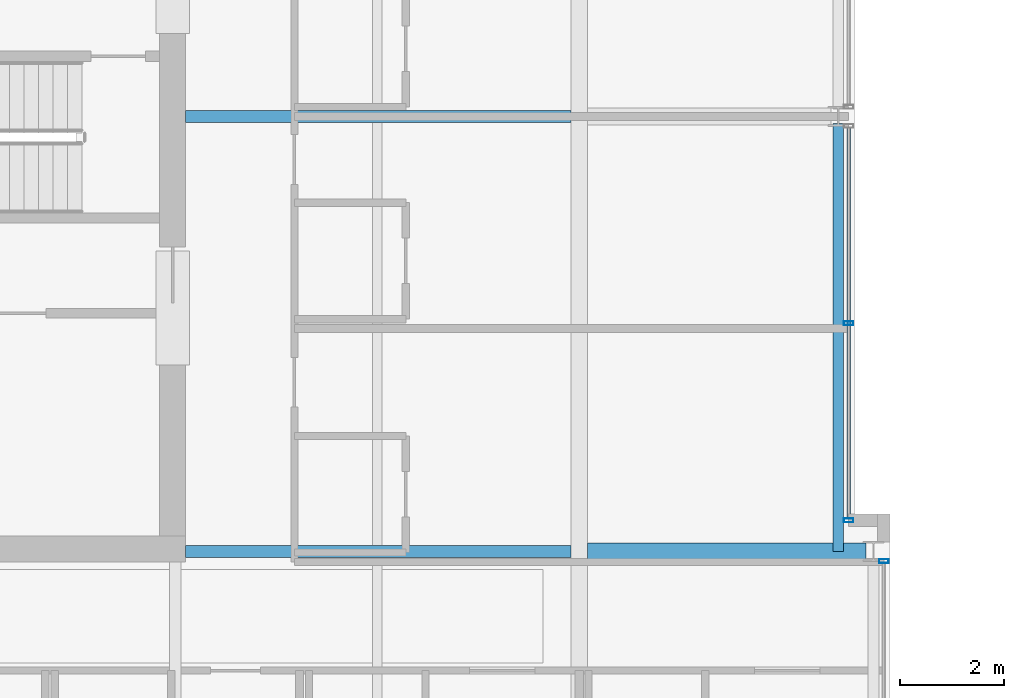
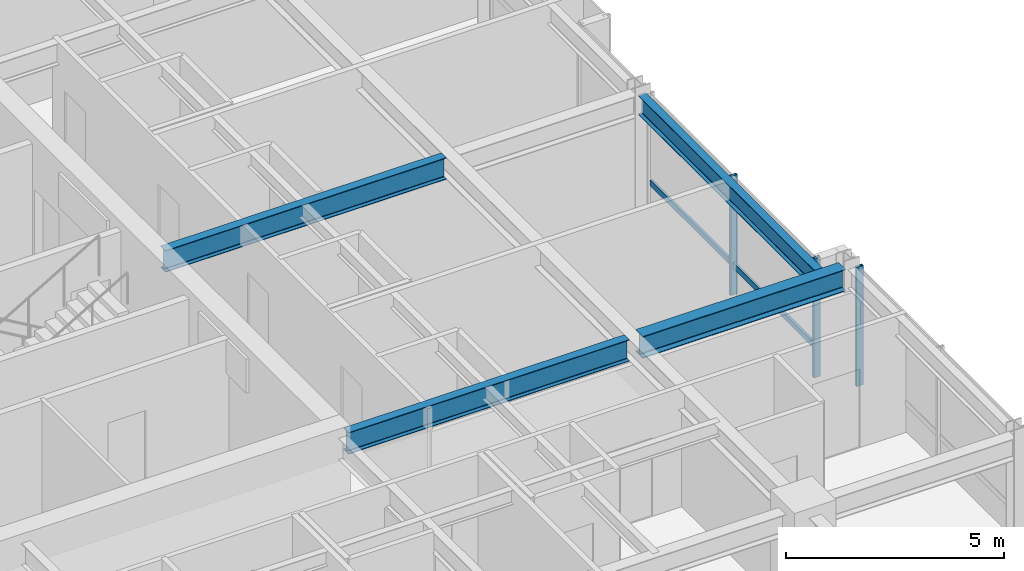
# One storey, part 15 of 34: 4 beams, 4 members, 2 elements without a shape of their own.
"""IFC4 building model written with IfcOpenShell, lengths in metres."""

import ifcopenshell
import ifcopenshell.guid

model = None  # the IFC model being written
_history = None  # IfcOwnerHistory: only IFC2X3 demands one
_inside = {}  # id of a spatial element -> (the spatial element, [elements in it])
_under = {}  # id of a project, library or spatial element -> (it, [spatial elements below it])
_declared = {}  # id of a project -> (the project, [libraries it declares])
_typed = {}  # id of a type object -> (the type object, [elements of that type])
_made_of = {}  # id of a material, layer set ... -> (it, [elements and type objects made of it])


def new_model(schema):
    """Start an empty IFC model of exactly this schema.

    Asked for "IFC4X3", IfcOpenShell would pick the latest addendum, in which some entities
    have other attributes; the version numbers below select the first issue.
    IFC2X3 requires an IfcOwnerHistory on every rooted entity: one is made here for all.
    """
    global model, _history
    if schema == "IFC4X3":
        model = ifcopenshell.file(schema_version=(4, 3, 0, 0))
    else:
        model = ifcopenshell.file(schema=schema)
    _inside.clear()
    _under.clear()
    _declared.clear()
    _typed.clear()
    _made_of.clear()
    _history = None
    if model.schema == "IFC2X3":
        org = make("IfcOrganization", Name="unknown")
        user = make(
            "IfcPersonAndOrganization",
            ThePerson=make("IfcPerson", FamilyName="unknown"),
            TheOrganization=org,
        )
        app = make(
            "IfcApplication",
            ApplicationDeveloper=org,
            Version="unknown",
            ApplicationFullName="unknown",
            ApplicationIdentifier="unknown",
        )
        _history = make(
            "IfcOwnerHistory",
            OwningUser=user,
            OwningApplication=app,
            ChangeAction="ADDED",
            CreationDate=0,
        )
    return model


def make(cls, **values):
    """One entity of the class cls with the attributes given. An attribute that is None is left unset."""
    return model.create_entity(
        cls, **{name: value for name, value in values.items() if value is not None}
    )


def rooted(cls, **values):
    """An entity with a GlobalId (a new one), such as an element, a storey or a relation."""
    return make(cls, GlobalId=ifcopenshell.guid.new(), OwnerHistory=_history, **values)


def si_unit(unit_type, name, prefix=None):
    """IfcSIUnit, for example si_unit("LENGTHUNIT", "METRE", prefix="MILLI")."""
    return make("IfcSIUnit", UnitType=unit_type, Prefix=prefix, Name=name)


def assignment(units):
    """IfcUnitAssignment: the units of a project."""
    return None if units is None else make("IfcUnitAssignment", Units=units)


def point(xyz):
    """IfcCartesianPoint."""
    return None if xyz is None else make("IfcCartesianPoint", Coordinates=xyz)


def direction(xyz):
    """IfcDirection."""
    return None if xyz is None else make("IfcDirection", DirectionRatios=xyz)


def frame(location, z_axis=None, x_axis=None):
    """IfcAxis2Placement3D, a coordinate frame: its origin and axes. An axis left out is left unset."""
    return make(
        "IfcAxis2Placement3D",
        Location=point(location),
        Axis=direction(z_axis),
        RefDirection=direction(x_axis),
    )


def frame_2d(location, x_axis=None):
    """IfcAxis2Placement2D, a coordinate frame in the plane: its origin and x axis."""
    return make(
        "IfcAxis2Placement2D", Location=point(location), RefDirection=direction(x_axis)
    )


def origin():
    """The frame at (0, 0, 0) with its axes left unset."""
    return frame((0.0, 0.0, 0.0))


def origin_2d():
    """The frame at (0, 0) in the plane with its x axis left unset."""
    return frame_2d((0.0, 0.0))


def place(relative_to, where):
    """IfcLocalPlacement: puts the frame where relative to a parent placement (None: the world)."""
    return make(
        "IfcLocalPlacement", PlacementRelTo=relative_to, RelativePlacement=where
    )


def context(
    kind, dimensions, precision=None, world=None, true_north=None, identifier=None
):
    """IfcGeometricRepresentationContext, for example the 3D "Model" context."""
    return make(
        "IfcGeometricRepresentationContext",
        ContextIdentifier=identifier,
        ContextType=kind,
        CoordinateSpaceDimension=dimensions,
        Precision=precision,
        WorldCoordinateSystem=world,
        TrueNorth=true_north,
    )


def subcontext(parent, identifier, kind, view, scale=None):
    """IfcGeometricRepresentationSubContext, for example "Body" below "Model"."""
    return make(
        "IfcGeometricRepresentationSubContext",
        ContextIdentifier=identifier,
        ContextType=kind,
        ParentContext=parent,
        TargetScale=scale,
        TargetView=view,
    )


def project(units=None, contexts=None):
    """IfcProject with its units and contexts."""
    return rooted(
        "IfcProject",
        Name="project",
        RepresentationContexts=contexts,
        UnitsInContext=assignment(units),
    )


def spatial(cls, under=None, at=None, **own):
    """A site, building, storey or space (cls), placed at a placement, below another one or the project."""
    s = rooted(cls, ObjectPlacement=at, **own)
    if under is not None:
        _under.setdefault(under.id(), (under, []))[1].append(s)
    return s


def profile(cls, at=None, kind="AREA", **sizes):
    """A parametric profile (cls). Its sizes go by their IFC names, for example OverallWidth=200.0."""
    return make(cls, ProfileType=kind, Position=at, **sizes)


def hollow_rectangle(**sizes):
    """IfcRectangleHollowProfileDef."""
    return profile("IfcRectangleHollowProfileDef", **sizes)


def i_section(**sizes):
    """IfcIShapeProfileDef."""
    return profile("IfcIShapeProfileDef", **sizes)


def extrude(swept, where, along, depth):
    """IfcExtrudedAreaSolid: the profile swept, set in the frame where, extruded along a direction by depth."""
    return make(
        "IfcExtrudedAreaSolid",
        SweptArea=swept,
        Position=where,
        ExtrudedDirection=direction(along),
        Depth=depth,
    )


def shape(context_of_items, identifier, shape_type, items):
    """IfcShapeRepresentation: the items that make up one representation, for example the "Body"."""
    return make(
        "IfcShapeRepresentation",
        ContextOfItems=context_of_items,
        RepresentationIdentifier=identifier,
        RepresentationType=shape_type,
        Items=items,
    )


def material(Name=None, Category=None):
    """IfcMaterial."""
    return make("IfcMaterial", Name=Name, Category=Category)


def layer(
    of_material, thickness, ventilated=None, Name=None, Category=None, Priority=None
):
    """IfcMaterialLayer: one layer of a wall or slab, of a material (None: an air gap)."""
    return make(
        "IfcMaterialLayer",
        Material=of_material,
        LayerThickness=thickness,
        IsVentilated=ventilated,
        Name=Name,
        Category=Category,
        Priority=Priority,
    )


def layer_set(layers, Name=None):
    """IfcMaterialLayerSet."""
    return make("IfcMaterialLayerSet", MaterialLayers=layers, LayerSetName=Name)


def material_profile(
    of_material, cross_section, Name=None, Category=None, Priority=None
):
    """IfcMaterialProfile: a cross section and its material."""
    return make(
        "IfcMaterialProfile",
        Name=Name,
        Material=of_material,
        Profile=cross_section,
        Priority=Priority,
        Category=Category,
    )


def profile_set(profiles, Name=None, composite=None):
    """IfcMaterialProfileSet."""
    return make(
        "IfcMaterialProfileSet",
        Name=Name,
        MaterialProfiles=profiles,
        CompositeProfile=composite,
    )


def made_of(thing, what):
    """Note that an element or type object is made of a material, layer set ...; save() writes the relation."""
    if what is not None:
        _made_of.setdefault(what.id(), (what, []))[1].append(thing)
    return thing


def type_object(cls, material=None, **own):
    """A type object (cls), such as IfcWallType, which elements share."""
    return made_of(rooted(cls, **own), material)


def element(
    cls,
    number,
    at=None,
    inside=None,
    cuts=None,
    type_object=None,
    material=None,
    context=None,
    identifier="Body",
    shape_type=None,
    held_by="IfcProductDefinitionShape",
    body=None,
    shapes=None,
    **own,
):
    """One element of the class cls, such as IfcWall. Its Tag is "e" and its number.

    at: its placement. inside: the storey or other place that contains it. cuts: it is an
    opening in that element (IfcRelVoidsElement). A single representation is given by context,
    identifier, shape_type and body (its items); several are given by shapes. held_by: the class
    of the entity that holds the representations. save() writes the other relations.
    """
    e = rooted(cls, Tag="e%d" % number, ObjectPlacement=at, **own)
    if body is not None:
        shapes = [shape(context, identifier, shape_type, body)]
    if shapes is not None:
        e.Representation = make(held_by, Representations=shapes)
    if inside is not None:
        _inside.setdefault(inside.id(), (inside, []))[1].append(e)
    if cuts is not None:
        rooted(
            "IfcRelVoidsElement", RelatingBuildingElement=cuts, RelatedOpeningElement=e
        )
    if type_object is not None:
        _typed.setdefault(type_object.id(), (type_object, []))[1].append(e)
    return made_of(e, material)


def aggregate(whole, parts):
    """IfcRelAggregates: a whole, such as a stair, and the parts it consists of."""
    return rooted("IfcRelAggregates", RelatingObject=whole, RelatedObjects=parts)


def save(model, path):
    """Write the relations noted so far, then the file.

    IfcRelAggregates (storeys below a building ...), IfcRelContainedInSpatialStructure (elements
    in a storey), IfcRelDefinesByType, IfcRelAssociatesMaterial and IfcRelDeclares: one each for
    every whole, place, type object, material and project.
    """
    for whole, parts in _under.values():
        aggregate(whole, parts)
    for where, things in _inside.values():
        rooted(
            "IfcRelContainedInSpatialStructure",
            RelatedElements=things,
            RelatingStructure=where,
        )
    for kind, things in _typed.values():
        rooted("IfcRelDefinesByType", RelatedObjects=things, RelatingType=kind)
    for what, things in _made_of.values():
        rooted("IfcRelAssociatesMaterial", RelatedObjects=things, RelatingMaterial=what)
    for by, libraries in _declared.values():
        rooted("IfcRelDeclares", RelatingContext=by, RelatedDefinitions=libraries)
    model.write(path)


model = new_model("IFC4")

# Units and contexts
model_context = context("Model", 3, precision=1e-05, world=origin(), true_north=direction((0.0, 1.0)))
body_context = subcontext(model_context, "Body", "Model", "MODEL_VIEW")
ifc_project = project(units=[si_unit("LENGTHUNIT", "METRE"), si_unit("AREAUNIT", "SQUARE_METRE"), si_unit("VOLUMEUNIT", "CUBIC_METRE"), si_unit("PLANEANGLEUNIT", "RADIAN"), si_unit("MASSUNIT", "GRAM", prefix="KILO")], contexts=[model_context])

# Site, building, storey
site_placement = place(None, origin())
site = spatial("IfcSite", under=ifc_project, at=site_placement, CompositionType="ELEMENT")
building_placement = place(site_placement, origin())
building = spatial("IfcBuilding", under=site, at=building_placement, Name="Drelvath Grand Hotel", CompositionType="ELEMENT")
storey_placement = place(building_placement, frame((0.0, 0.0, 208.699951171875)))
storey = spatial("IfcBuildingStorey", under=building, at=storey_placement, Name="L54", CompositionType="ELEMENT", Elevation=208.699951171875)

# Curtain wall, members
ifc_material_1 = material(Name="Platinum-Mist Anodised Aluminium Frame", Category="aluminium")
ifc_layer = layer(ifc_material_1, 0.199951171875)
ifc_layer_set = layer_set([ifc_layer], Name="Platinum-Mist Anodised Aluminium Frame")
curtain_wall_type = type_object("IfcCurtainWallType", Name="Stick Curtain Wall CW-05 Platinum Mist High-Rise", PredefinedType="NOTDEFINED", material=ifc_layer_set)
curtain_wall_1_placement = place(storey_placement, origin())
curtain_wall_1 = element("IfcCurtainWall", 1, at=curtain_wall_1_placement, inside=storey, type_object=curtain_wall_type, Name="L54 CW-05 Curtain Wall CW05-L54-EM1", PredefinedType="NOTDEFINED")
ifc_material_profile_1 = material_profile(ifc_material_1, hollow_rectangle(XDim=0.06494140625, YDim=0.159912109375, WallThickness=0.00390625, at=origin_2d()), Name="HSS160X65X4")
ifc_profile_set_1 = profile_set([ifc_material_profile_1], Name="Platinum-Mist Anodised Aluminium Frame")
member_type_1 = type_object("IfcMemberType", Name="Curtain Wall Horizontal Transom CW-05 HSS160X65X4", PredefinedType="USERDEFINED", material=ifc_profile_set_1)
member_1_placement = place(storey_placement, frame((21.39990234375, 26.774658203125, 0.8349609375), z_axis=(0.0, -1.0, 0.0), x_axis=(1.0, 0.0, 0.0)))
member_1 = element("IfcMember", 2, at=member_1_placement, type_object=member_type_1, Name="CW05-L54-EM1 Sill Transom", ObjectType="TRANSOM", PredefinedType="USERDEFINED", context=body_context, shape_type="SweptSolid", body=[
    extrude(hollow_rectangle(XDim=0.06494140625, YDim=0.159912109375, WallThickness=0.00390625, at=origin_2d()), origin(), (0.0, 0.0, 1.0), 7.53466796875),
])
ifc_material_profile_2 = material_profile(ifc_material_1, hollow_rectangle(XDim=0.074951171875, YDim=0.179931640625, WallThickness=0.0048828125, at=origin_2d()), Name="HSS180X75X5")
ifc_profile_set_2 = profile_set([ifc_material_profile_2], Name="Platinum-Mist Anodised Aluminium Frame")
member_type_2 = type_object("IfcMemberType", Name="Curtain Wall Vertical Mullion CW-05 HSS180X75X5", PredefinedType="MULLION", material=ifc_profile_set_2)
member_2_placement = place(storey_placement, frame((21.39990234375, 23.00732421875, 0.0), z_axis=(0.0, 0.0, 1.0), x_axis=(0.0, 1.0, 0.0)))
member_2 = element("IfcMember", 3, at=member_2_placement, type_object=member_type_2, Name="CW05-L54-EM1 Mullion 2", PredefinedType="MULLION", context=body_context, shape_type="SweptSolid", body=[
    extrude(hollow_rectangle(XDim=0.074951171875, YDim=0.179931640625, WallThickness=0.0048828125, at=origin_2d()), origin(), (0.0, 0.0, 1.0), 3.340087890625),
])
member_3_placement = place(storey_placement, frame((21.39990234375, 19.199951171875, 0.0), z_axis=(0.0, 0.0, 1.0), x_axis=(0.0, 1.0, 0.0)))
member_3 = element("IfcMember", 4, at=member_3_placement, type_object=member_type_2, Name="CW05-L54-EM1 Mullion 3", PredefinedType="MULLION", context=body_context, shape_type="SweptSolid", body=[
    extrude(hollow_rectangle(XDim=0.074951171875, YDim=0.179931640625, WallThickness=0.0048828125, at=origin_2d()), origin(), (0.0, 0.0, 1.0), 3.340087890625),
])
aggregate(curtain_wall_1, [member_2, member_3, member_1])

# Curtain wall, member
curtain_wall_2_placement = place(storey_placement, origin())
curtain_wall_2 = element("IfcCurtainWall", 5, at=curtain_wall_2_placement, inside=storey, type_object=curtain_wall_type, Name="L54 CW-05 Curtain Wall CW05-L54-ES2", PredefinedType="NOTDEFINED")
member_4_placement = place(storey_placement, frame((22.080078125, 18.414794921875, 0.0), z_axis=(0.0, 0.0, 1.0), x_axis=(0.0, 1.0, 0.0)))
member_4 = element("IfcMember", 6, at=member_4_placement, type_object=member_type_2, Name="CW05-L54-ES2 Mullion 1", PredefinedType="MULLION", context=body_context, shape_type="SweptSolid", body=[
    extrude(hollow_rectangle(XDim=0.074951171875, YDim=0.179931640625, WallThickness=0.0048828125, at=origin_2d()), origin(), (0.0, 0.0, 1.0), 3.340087890625),
])
aggregate(curtain_wall_2, [member_4])

# Beams
ifc_material_2 = material(Name="Steel ASTM A992 Gr 50", Category="steel")
ifc_material_profile_3 = material_profile(ifc_material_2, i_section(OverallWidth=0.210205078125, OverallDepth=0.53662109375, WebThickness=0.010986328125, FlangeThickness=0.017333984375, FilletRadius=0.01806640625, at=origin_2d()), Name="W21X68")
ifc_profile_set_3 = profile_set([ifc_material_profile_3], Name="Steel ASTM A992 Gr 50")
beam_type_1 = type_object("IfcBeamType", Name="Perimeter Spandrel Beam W21X68", PredefinedType="SPANDREL", material=ifc_profile_set_3)
beam_1_placement = place(storey_placement, frame((21.199951171875, 18.60009765625, 3.071533203125), z_axis=(0.0, 1.0, 0.0), x_axis=(-1.0, 0.0, 0.0)))
element("IfcBeam", 7, at=beam_1_placement, inside=storey, type_object=beam_type_1, Name="L54 Spandrel East Mid S", PredefinedType="SPANDREL", context=body_context, shape_type="SweptSolid", body=[
    extrude(i_section(OverallWidth=0.210205078125, OverallDepth=0.53662109375, WebThickness=0.010986328125, FlangeThickness=0.017333984375, FilletRadius=0.01806640625, at=origin_2d()), origin(), (0.0, 0.0, 1.0), 8.260009765625),
])
ifc_material_profile_4 = material_profile(ifc_material_2, i_section(OverallWidth=0.323974609375, OverallDepth=0.611083984375, WebThickness=0.0126953125, FlangeThickness=0.01904296875, FilletRadius=0.02197265625, at=origin_2d()), Name="W24X104")
ifc_profile_set_4 = profile_set([ifc_material_profile_4], Name="Steel ASTM A992 Gr 50")
beam_type_2 = type_object("IfcBeamType", Name="Primary Floor Girder W24X104", PredefinedType="BEAM", material=ifc_profile_set_4)
beam_2_placement = place(storey_placement, frame((16.362060546875, 18.60009765625, 3.034423828125), z_axis=(1.0, 0.0, 0.0), x_axis=(0.0, 1.0, 0.0)))
element("IfcBeam", 8, at=beam_2_placement, inside=storey, type_object=beam_type_2, Name="L54 East Wing Girder D", PredefinedType="BEAM", context=body_context, shape_type="SweptSolid", body=[
    extrude(i_section(OverallWidth=0.323974609375, OverallDepth=0.611083984375, WebThickness=0.0126953125, FlangeThickness=0.01904296875, FilletRadius=0.02197265625, at=origin_2d()), origin(), (0.0, 0.0, 1.0), 5.3779296875),
])
ifc_material_profile_5 = material_profile(ifc_material_2, i_section(OverallWidth=0.228271484375, OverallDepth=0.607666015625, WebThickness=0.01123046875, FlangeThickness=0.017333984375, FilletRadius=0.02001953125, at=origin_2d()), Name="W24X76")
ifc_profile_set_5 = profile_set([ifc_material_profile_5], Name="Steel ASTM A992 Gr 50")
beam_type_3 = type_object("IfcBeamType", Name="Primary Floor Girder W24X76", PredefinedType="BEAM", material=ifc_profile_set_5)
for number, where, z_axis, x_axis, name in (
    (9, (8.60009765625, 18.60009765625, 3.0361328125), (1.0, 0.0, 0.0), (0.0, 1.0, 0.0), "L54 East Core Tie D"),
    (10, (8.60009765625, 27.0, 3.0361328125), (1.0, 0.0, 0.0), (0.0, 1.0, 0.0), "L54 East Core Tie E"),
):
    element("IfcBeam", number, at=place(storey_placement, frame(where, z_axis=z_axis, x_axis=x_axis)), inside=storey, type_object=beam_type_3, Name=name, PredefinedType="BEAM", context=body_context, shape_type="SweptSolid", body=[
        extrude(i_section(OverallWidth=0.228271484375, OverallDepth=0.607666015625, WebThickness=0.01123046875, FlangeThickness=0.017333984375, FilletRadius=0.02001953125, at=origin_2d()), origin(), (0.0, 0.0, 1.0), 7.43798828125),
    ])

save(model, "model.ifc")
